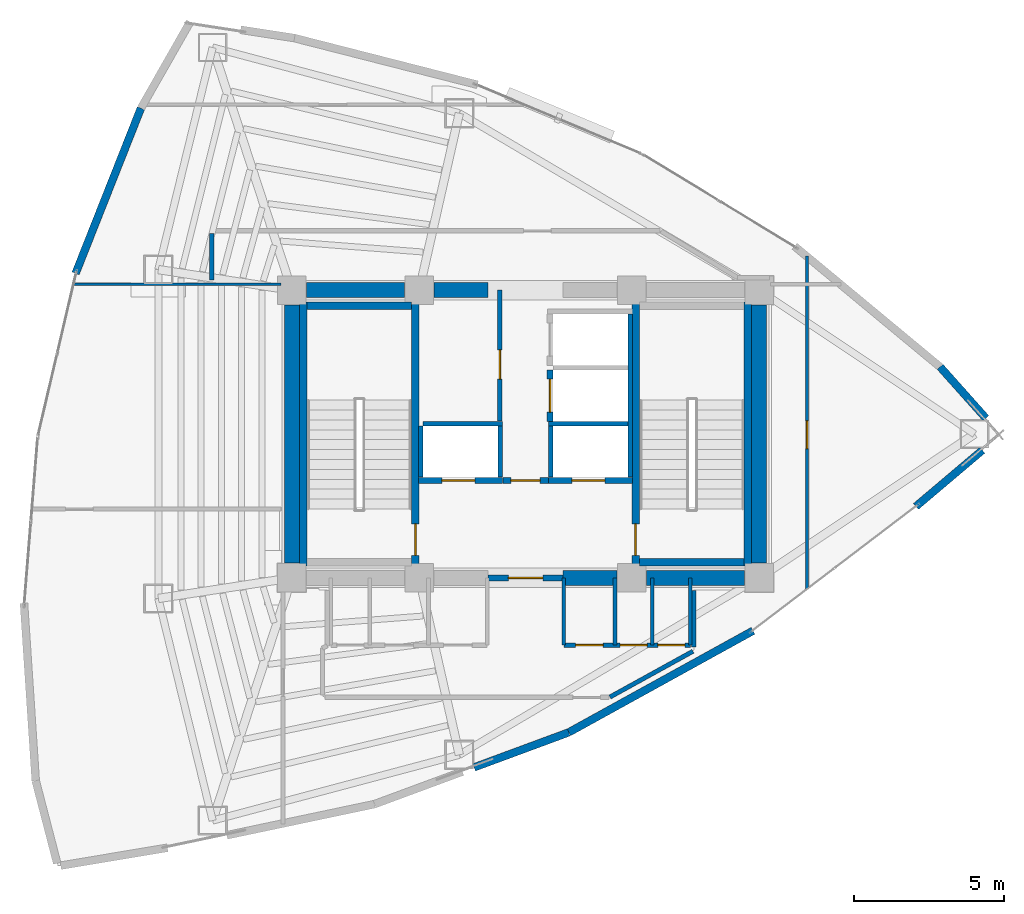
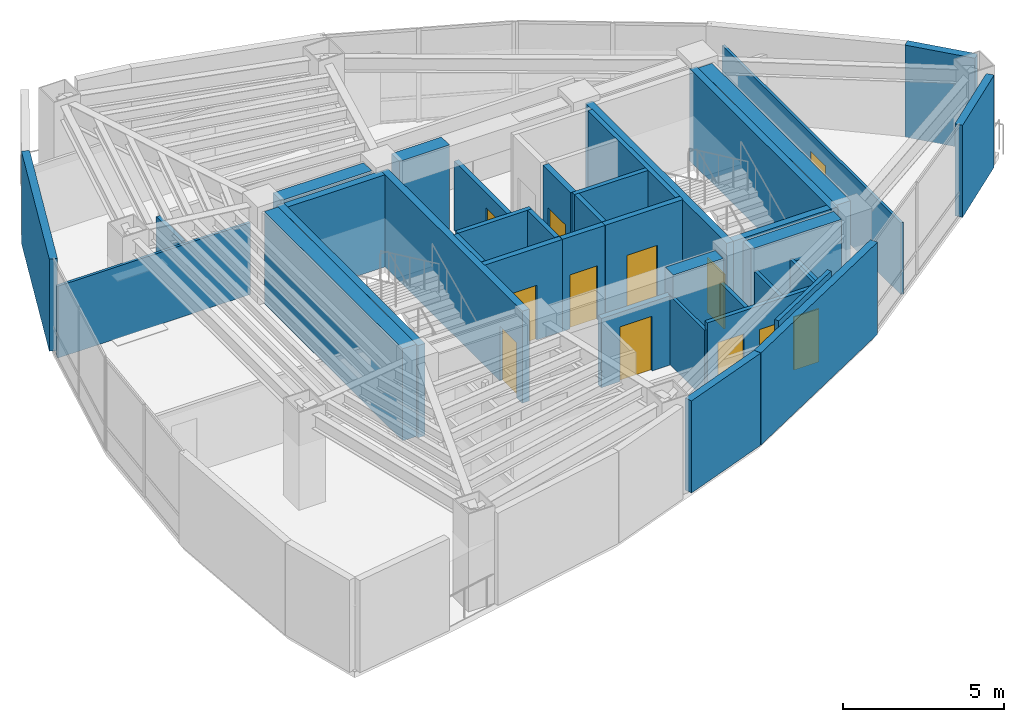
# One storey, part 12 of 15: 39 walls, 12 doors, 12 openings.
"""IFC4 building model written with IfcOpenShell, lengths in metres."""

import ifcopenshell
import ifcopenshell.guid

model = None  # the IFC model being written
_history = None  # IfcOwnerHistory: only IFC2X3 demands one
_inside = {}  # id of a spatial element -> (the spatial element, [elements in it])
_under = {}  # id of a project, library or spatial element -> (it, [spatial elements below it])
_declared = {}  # id of a project -> (the project, [libraries it declares])
_typed = {}  # id of a type object -> (the type object, [elements of that type])
_made_of = {}  # id of a material, layer set ... -> (it, [elements and type objects made of it])


def new_model(schema):
    """Start an empty IFC model of exactly this schema.

    Asked for "IFC4X3", IfcOpenShell would pick the latest addendum, in which some entities
    have other attributes; the version numbers below select the first issue.
    IFC2X3 requires an IfcOwnerHistory on every rooted entity: one is made here for all.
    """
    global model, _history
    if schema == "IFC4X3":
        model = ifcopenshell.file(schema_version=(4, 3, 0, 0))
    else:
        model = ifcopenshell.file(schema=schema)
    _inside.clear()
    _under.clear()
    _declared.clear()
    _typed.clear()
    _made_of.clear()
    _history = None
    if model.schema == "IFC2X3":
        org = make("IfcOrganization", Name="unknown")
        user = make(
            "IfcPersonAndOrganization",
            ThePerson=make("IfcPerson", FamilyName="unknown"),
            TheOrganization=org,
        )
        app = make(
            "IfcApplication",
            ApplicationDeveloper=org,
            Version="unknown",
            ApplicationFullName="unknown",
            ApplicationIdentifier="unknown",
        )
        _history = make(
            "IfcOwnerHistory",
            OwningUser=user,
            OwningApplication=app,
            ChangeAction="ADDED",
            CreationDate=0,
        )
    return model


def make(cls, **values):
    """One entity of the class cls with the attributes given. An attribute that is None is left unset."""
    return model.create_entity(
        cls, **{name: value for name, value in values.items() if value is not None}
    )


def rooted(cls, **values):
    """An entity with a GlobalId (a new one), such as an element, a storey or a relation."""
    return make(cls, GlobalId=ifcopenshell.guid.new(), OwnerHistory=_history, **values)


def si_unit(unit_type, name, prefix=None):
    """IfcSIUnit, for example si_unit("LENGTHUNIT", "METRE", prefix="MILLI")."""
    return make("IfcSIUnit", UnitType=unit_type, Prefix=prefix, Name=name)


def assignment(units):
    """IfcUnitAssignment: the units of a project."""
    return None if units is None else make("IfcUnitAssignment", Units=units)


def point(xyz):
    """IfcCartesianPoint."""
    return None if xyz is None else make("IfcCartesianPoint", Coordinates=xyz)


def direction(xyz):
    """IfcDirection."""
    return None if xyz is None else make("IfcDirection", DirectionRatios=xyz)


def frame(location, z_axis=None, x_axis=None):
    """IfcAxis2Placement3D, a coordinate frame: its origin and axes. An axis left out is left unset."""
    return make(
        "IfcAxis2Placement3D",
        Location=point(location),
        Axis=direction(z_axis),
        RefDirection=direction(x_axis),
    )


def frame_2d(location, x_axis=None):
    """IfcAxis2Placement2D, a coordinate frame in the plane: its origin and x axis."""
    return make(
        "IfcAxis2Placement2D", Location=point(location), RefDirection=direction(x_axis)
    )


def origin():
    """The frame at (0, 0, 0) with its axes left unset."""
    return frame((0.0, 0.0, 0.0))


def place(relative_to, where):
    """IfcLocalPlacement: puts the frame where relative to a parent placement (None: the world)."""
    return make(
        "IfcLocalPlacement", PlacementRelTo=relative_to, RelativePlacement=where
    )


def context(
    kind, dimensions, precision=None, world=None, true_north=None, identifier=None
):
    """IfcGeometricRepresentationContext, for example the 3D "Model" context."""
    return make(
        "IfcGeometricRepresentationContext",
        ContextIdentifier=identifier,
        ContextType=kind,
        CoordinateSpaceDimension=dimensions,
        Precision=precision,
        WorldCoordinateSystem=world,
        TrueNorth=true_north,
    )


def subcontext(parent, identifier, kind, view, scale=None):
    """IfcGeometricRepresentationSubContext, for example "Body" below "Model"."""
    return make(
        "IfcGeometricRepresentationSubContext",
        ContextIdentifier=identifier,
        ContextType=kind,
        ParentContext=parent,
        TargetScale=scale,
        TargetView=view,
    )


def project(units=None, contexts=None):
    """IfcProject with its units and contexts."""
    return rooted(
        "IfcProject",
        Name="project",
        RepresentationContexts=contexts,
        UnitsInContext=assignment(units),
    )


def spatial(cls, under=None, at=None, **own):
    """A site, building, storey or space (cls), placed at a placement, below another one or the project."""
    s = rooted(cls, ObjectPlacement=at, **own)
    if under is not None:
        _under.setdefault(under.id(), (under, []))[1].append(s)
    return s


def profile(cls, at=None, kind="AREA", **sizes):
    """A parametric profile (cls). Its sizes go by their IFC names, for example OverallWidth=200.0."""
    return make(cls, ProfileType=kind, Position=at, **sizes)


def rectangle(**sizes):
    """IfcRectangleProfileDef."""
    return profile("IfcRectangleProfileDef", **sizes)


def extrude(swept, where, along, depth):
    """IfcExtrudedAreaSolid: the profile swept, set in the frame where, extruded along a direction by depth."""
    return make(
        "IfcExtrudedAreaSolid",
        SweptArea=swept,
        Position=where,
        ExtrudedDirection=direction(along),
        Depth=depth,
    )


def shape(context_of_items, identifier, shape_type, items):
    """IfcShapeRepresentation: the items that make up one representation, for example the "Body"."""
    return make(
        "IfcShapeRepresentation",
        ContextOfItems=context_of_items,
        RepresentationIdentifier=identifier,
        RepresentationType=shape_type,
        Items=items,
    )


def material(Name=None, Category=None):
    """IfcMaterial."""
    return make("IfcMaterial", Name=Name, Category=Category)


def layer(
    of_material, thickness, ventilated=None, Name=None, Category=None, Priority=None
):
    """IfcMaterialLayer: one layer of a wall or slab, of a material (None: an air gap)."""
    return make(
        "IfcMaterialLayer",
        Material=of_material,
        LayerThickness=thickness,
        IsVentilated=ventilated,
        Name=Name,
        Category=Category,
        Priority=Priority,
    )


def layer_set(layers, Name=None):
    """IfcMaterialLayerSet."""
    return make("IfcMaterialLayerSet", MaterialLayers=layers, LayerSetName=Name)


def made_of(thing, what):
    """Note that an element or type object is made of a material, layer set ...; save() writes the relation."""
    if what is not None:
        _made_of.setdefault(what.id(), (what, []))[1].append(thing)
    return thing


def type_object(cls, material=None, **own):
    """A type object (cls), such as IfcWallType, which elements share."""
    return made_of(rooted(cls, **own), material)


def element(
    cls,
    number,
    at=None,
    inside=None,
    cuts=None,
    type_object=None,
    material=None,
    context=None,
    identifier="Body",
    shape_type=None,
    held_by="IfcProductDefinitionShape",
    body=None,
    shapes=None,
    **own,
):
    """One element of the class cls, such as IfcWall. Its Tag is "e" and its number.

    at: its placement. inside: the storey or other place that contains it. cuts: it is an
    opening in that element (IfcRelVoidsElement). A single representation is given by context,
    identifier, shape_type and body (its items); several are given by shapes. held_by: the class
    of the entity that holds the representations. save() writes the other relations.
    """
    e = rooted(cls, Tag="e%d" % number, ObjectPlacement=at, **own)
    if body is not None:
        shapes = [shape(context, identifier, shape_type, body)]
    if shapes is not None:
        e.Representation = make(held_by, Representations=shapes)
    if inside is not None:
        _inside.setdefault(inside.id(), (inside, []))[1].append(e)
    if cuts is not None:
        rooted(
            "IfcRelVoidsElement", RelatingBuildingElement=cuts, RelatedOpeningElement=e
        )
    if type_object is not None:
        _typed.setdefault(type_object.id(), (type_object, []))[1].append(e)
    return made_of(e, material)


def fill(opening, filler):
    """IfcRelFillsElement: the door or window that sits in an opening."""
    return rooted(
        "IfcRelFillsElement",
        RelatingOpeningElement=opening,
        RelatedBuildingElement=filler,
    )


def aggregate(whole, parts):
    """IfcRelAggregates: a whole, such as a stair, and the parts it consists of."""
    return rooted("IfcRelAggregates", RelatingObject=whole, RelatedObjects=parts)


def save(model, path):
    """Write the relations noted so far, then the file.

    IfcRelAggregates (storeys below a building ...), IfcRelContainedInSpatialStructure (elements
    in a storey), IfcRelDefinesByType, IfcRelAssociatesMaterial and IfcRelDeclares: one each for
    every whole, place, type object, material and project.
    """
    for whole, parts in _under.values():
        aggregate(whole, parts)
    for where, things in _inside.values():
        rooted(
            "IfcRelContainedInSpatialStructure",
            RelatedElements=things,
            RelatingStructure=where,
        )
    for kind, things in _typed.values():
        rooted("IfcRelDefinesByType", RelatedObjects=things, RelatingType=kind)
    for what, things in _made_of.values():
        rooted("IfcRelAssociatesMaterial", RelatedObjects=things, RelatingMaterial=what)
    for by, libraries in _declared.values():
        rooted("IfcRelDeclares", RelatingContext=by, RelatedDefinitions=libraries)
    model.write(path)


model = new_model("IFC4")

# Units and contexts
model_context = context("Model", 3, precision=1e-05, world=origin(), true_north=direction((0.0, 1.0)))
body_context = subcontext(model_context, "Body", "Model", "MODEL_VIEW")
ifc_project = project(units=[si_unit("LENGTHUNIT", "METRE"), si_unit("AREAUNIT", "SQUARE_METRE"), si_unit("VOLUMEUNIT", "CUBIC_METRE"), si_unit("PLANEANGLEUNIT", "RADIAN"), si_unit("MASSUNIT", "GRAM", prefix="KILO")], contexts=[model_context])

# Site, building, storey
site_placement = place(None, origin())
site = spatial("IfcSite", under=ifc_project, at=site_placement, CompositionType="ELEMENT")
building_placement = place(site_placement, origin())
building = spatial("IfcBuilding", under=site, at=building_placement, Name="Menara Vayukalpa", CompositionType="ELEMENT")
storey_placement = place(building_placement, frame((0.0, 0.0, 180.360107421875)))
storey = spatial("IfcBuildingStorey", under=building, at=storey_placement, Name="L45", CompositionType="ELEMENT", Elevation=180.360107421875)

# Walls
ifc_material_1 = material(Name="Concrete C60/75", Category="concrete")
ifc_layer_1 = layer(ifc_material_1, 0.5)
ifc_layer_set_1 = layer_set([ifc_layer_1], Name="Concrete C60/75")
wall_type_1 = type_object("IfcWallType", Name="WAL-CW500", PredefinedType="SHEAR", material=ifc_layer_set_1)
wall_1_placement = place(storey_placement, frame((26.85009765625, 17.199951171875, 0.0), z_axis=(0.0, 0.0, 1.0), x_axis=(1.0, 0.0, 0.0)))
element("IfcWall", 1, at=wall_1_placement, inside=storey, type_object=wall_type_1, Name="L45 Buttressed Core Shear Wall CWS3", PredefinedType="SHEAR", context=body_context, shape_type="SweptSolid", body=[
    extrude(rectangle(XDim=1.804931640625, YDim=0.5, at=frame_2d((0.90234375, 0.0))), origin(), (0.0, 0.0, 1.0), 3.5),
])
for number, where, z_axis, x_axis, name in (
    (2, (29.64501953125, 17.199951171875, 0.0), (0.0, 0.0, 1.0), (1.0, 0.0, 0.0), "L45 Buttressed Core Shear Wall CWS4"),
    (3, (18.294921875, 26.800048828125, 0.0), (0.0, 0.0, 1.0), (1.0, 0.0, 0.0), "L45 Buttressed Core Shear Wall CWN1"),
):
    element("IfcWall", number, at=place(storey_placement, frame(where, z_axis=z_axis, x_axis=x_axis)), inside=storey, type_object=wall_type_1, Name=name, PredefinedType="SHEAR", context=body_context, shape_type="SweptSolid", body=[
        extrude(rectangle(XDim=3.260009765625, YDim=0.5, at=frame_2d((1.6298828125, 0.0))), origin(), (0.0, 0.0, 1.0), 3.5),
    ])
wall_2_placement = place(storey_placement, frame((22.544921875, 26.800048828125, 0.0), z_axis=(0.0, 0.0, 1.0), x_axis=(1.0, 0.0, 0.0)))
element("IfcWall", 4, at=wall_2_placement, inside=storey, type_object=wall_type_1, Name="L45 Buttressed Core Shear Wall CWN2", PredefinedType="SHEAR", context=body_context, shape_type="SweptSolid", body=[
    extrude(rectangle(XDim=1.80517578125, YDim=0.5, at=frame_2d((0.902587890625, 0.0))), origin(), (0.0, 0.0, 1.0), 3.5),
])
for number, where, z_axis, x_axis, name in (
    (5, (17.800048828125, 17.695068359375, 0.0), (0.0, 0.0, 1.0), (0.0, 1.0, 0.0), "L45 Buttressed Core Shear Wall CWW1"),
    (6, (33.39990234375, 17.695068359375, 0.0), (0.0, 0.0, 1.0), (0.0, 1.0, 0.0), "L45 Buttressed Core Shear Wall CWE1"),
):
    element("IfcWall", number, at=place(storey_placement, frame(where, z_axis=z_axis, x_axis=x_axis)), inside=storey, type_object=wall_type_1, Name=name, PredefinedType="SHEAR", context=body_context, shape_type="SweptSolid", body=[
        extrude(rectangle(XDim=8.60986328125, YDim=0.5, at=frame_2d((4.304931640625, 0.0))), origin(), (0.0, 0.0, 1.0), 3.5),
    ])
ifc_material_2 = material(Name="Insulated Precast Concrete C40/50", Category="concrete")
ifc_layer_2 = layer(ifc_material_2, 0.260009765625)
ifc_layer_set_2 = layer_set([ifc_layer_2], Name="Insulated Precast Concrete C40/50")
wall_type_2 = type_object("IfcWallType", Name="WAL-EXT260", PredefinedType="PARTITIONING", material=ifc_layer_set_2)
wall_3_placement = place(storey_placement, frame((40.85009765625, 21.4580078125, 0.0), z_axis=(0.0, 0.0, 1.0), x_axis=(-0.763472391034, -0.645840466469, 0.0)))
element("IfcWall", 7, at=wall_3_placement, inside=storey, type_object=wall_type_2, Name="L45 Perimeter Terracotta Pier Wall 01", PredefinedType="PARTITIONING", context=body_context, shape_type="SweptSolid", body=[
    extrude(rectangle(XDim=2.903564453125, YDim=0.260009765625, at=frame_2d((1.45166015625, 0.0))), origin(), (0.0, 0.0, 1.0), 3.5),
])
wall_4_placement = place(storey_placement, frame((39.439208984375, 24.2421875, 0.0), z_axis=(0.0, 0.0, 1.0), x_axis=(0.665576459686, -0.746329669993, 0.0)))
element("IfcWall", 8, at=wall_4_placement, inside=storey, type_object=wall_type_2, Name="L45 Perimeter Terracotta Pier Wall 02", PredefinedType="PARTITIONING", context=body_context, shape_type="SweptSolid", body=[
    extrude(rectangle(XDim=2.297607421875, YDim=0.260009765625, at=frame_2d((1.14892578125, 0.0))), origin(), (0.0, 0.0, 1.0), 3.5),
])
wall_5_placement = place(storey_placement, frame((10.578857421875, 27.3603515625, 0.0), z_axis=(0.0, 0.0, 1.0), x_axis=(0.367819433119, 0.929897233365, 0.0)))
element("IfcWall", 9, at=wall_5_placement, inside=storey, type_object=wall_type_2, Name="L45 Perimeter Terracotta Pier Wall 09", PredefinedType="PARTITIONING", context=body_context, shape_type="SweptSolid", body=[
    extrude(rectangle(XDim=5.933349609375, YDim=0.260009765625, at=frame_2d((2.966796875, 0.0))), origin(), (0.0, 0.0, 1.0), 3.5),
])
wall_6_placement = place(storey_placement, frame((27.045166015625, 12.040283203125, 0.0), z_axis=(0.0, 0.0, 1.0), x_axis=(-0.937891061811, -0.346929900953, 0.0)))
element("IfcWall", 10, at=wall_6_placement, inside=storey, type_object=wall_type_2, Name="L45 Perimeter Terracotta Pier Wall 17", PredefinedType="PARTITIONING", context=body_context, shape_type="SweptSolid", body=[
    extrude(rectangle(XDim=3.37158203125, YDim=0.260009765625, at=frame_2d((1.685791015625, 0.0))), origin(), (0.0, 0.0, 1.0), 3.5),
])
wall_7_placement = place(storey_placement, frame((33.194580078125, 15.431640625, 0.0), z_axis=(0.0, 0.0, 1.0), x_axis=(-0.875663362897, -0.482922017389, 0.0)))
element("IfcWall", 11, at=wall_7_placement, inside=storey, type_object=wall_type_2, Name="L45 Perimeter Terracotta Pier Wall 18", PredefinedType="PARTITIONING", context=body_context, shape_type="SweptSolid", body=[
    extrude(rectangle(XDim=7.0224609375, YDim=0.260009765625, at=frame_2d((3.51123046875, 0.0))), origin(), (0.0, 0.0, 1.0), 3.5),
])
ifc_material_3 = material(Name="Lightweight Concrete Blockwork C16/20", Category="masonry")
ifc_layer_3 = layer(ifc_material_3, 0.159912109375)
ifc_layer_set_3 = layer_set([ifc_layer_3], Name="Lightweight Concrete Blockwork C16/20")
wall_type_3 = type_object("IfcWallType", Name="WAL-FR150", PredefinedType="PARTITIONING", material=ifc_layer_set_3)
for number, where, z_axis, x_axis, name in (
    (12, (22.10498046875, 20.56005859375, 0.0), (0.0, 0.0, 1.0), (0.0, 1.0, 0.0), "L45 Interior Partition IW-L45-SHW-WW"),
    (13, (24.7548828125, 20.56005859375, 0.0), (0.0, 0.0, 1.0), (0.0, 1.0, 0.0), "L45 Interior Partition IW-L45-SHW-W1E"),
):
    element("IfcWall", number, at=place(storey_placement, frame(where, z_axis=z_axis, x_axis=x_axis)), inside=storey, type_object=wall_type_3, Name=name, PredefinedType="PARTITIONING", context=body_context, shape_type="SweptSolid", body=[
        extrude(rectangle(XDim=1.7099609375, YDim=0.159912109375, at=frame_2d((0.85498046875, 0.0))), origin(), (0.0, 0.0, 1.0), 3.5),
    ])
wall_8_placement = place(storey_placement, frame((22.179931640625, 22.344970703125, 0.0), z_axis=(0.0, 0.0, 1.0), x_axis=(1.0, 0.0, 0.0)))
element("IfcWall", 14, at=wall_8_placement, inside=storey, type_object=wall_type_3, Name="L45 Interior Partition IW-L45-SHM-W12", PredefinedType="PARTITIONING", context=body_context, shape_type="SweptSolid", body=[
    extrude(rectangle(XDim=2.650146484375, YDim=0.159912109375, at=frame_2d((1.3251953125, 0.0))), origin(), (0.0, 0.0, 1.0), 3.5),
])
wall_9_placement = place(storey_placement, frame((29.094970703125, 20.56005859375, 0.0), z_axis=(0.0, 0.0, 1.0), x_axis=(0.0, 1.0, 0.0)))
element("IfcWall", 15, at=wall_9_placement, inside=storey, type_object=wall_type_3, Name="L45 Interior Partition IW-L45-SHW-EE", PredefinedType="PARTITIONING", context=body_context, shape_type="SweptSolid", body=[
    extrude(rectangle(XDim=5.449951171875, YDim=0.159912109375, at=frame_2d((2.72509765625, 0.0))), origin(), (0.0, 0.0, 1.0), 3.5),
])
wall_10_placement = place(storey_placement, frame((26.445068359375, 20.56005859375, 0.0), z_axis=(0.0, 0.0, 1.0), x_axis=(0.0, 1.0, 0.0)))
element("IfcWall", 16, at=wall_10_placement, inside=storey, type_object=wall_type_3, Name="L45 Interior Partition IW-L45-SHW-E1W", PredefinedType="PARTITIONING", context=body_context, shape_type="SweptSolid", body=[
    extrude(rectangle(XDim=1.7099609375, YDim=0.159912109375, at=frame_2d((0.85498046875, 0.0))), origin(), (0.0, 0.0, 1.0), 3.5),
])
wall_11_placement = place(storey_placement, frame((26.3701171875, 22.344970703125, 0.0), z_axis=(0.0, 0.0, 1.0), x_axis=(1.0, 0.0, 0.0)))
element("IfcWall", 17, at=wall_11_placement, inside=storey, type_object=wall_type_3, Name="L45 Interior Partition IW-L45-SHM-E13", PredefinedType="PARTITIONING", context=body_context, shape_type="SweptSolid", body=[
    extrude(rectangle(XDim=2.64990234375, YDim=0.159912109375, at=frame_2d((1.324951171875, 0.0))), origin(), (0.0, 0.0, 1.0), 3.5),
])

# Wall, opening, door
wall_12_placement = place(storey_placement, frame((24.739990234375, 22.429931640625, 0.0), z_axis=(0.0, 0.0, 1.0), x_axis=(0.0, 1.0, 0.0)))
wall_12 = element("IfcWall", 18, at=wall_12_placement, inside=storey, type_object=wall_type_3, Name="L45 Interior Partition IW-L45-LV7W", PredefinedType="PARTITIONING", context=body_context, shape_type="SweptSolid", body=[
    extrude(rectangle(XDim=4.3701171875, YDim=0.159912109375, at=frame_2d((2.18505859375, 0.0))), origin(), (0.0, 0.0, 1.0), 2.6298828125),
])
opening_1_placement = place(wall_12_placement, frame((1.39990234375, 0.0, 0.0)))
opening_1 = element("IfcOpeningElement", 19, at=opening_1_placement, cuts=wall_12, Name="Opening ID3", PredefinedType="OPENING", context=body_context, shape_type="SweptSolid", body=[
    extrude(rectangle(XDim=0.97998046875, YDim=2.06005859375, at=frame_2d((0.489990234375, 1.030029296875))), frame((0.0, 0.08984375, 0.0), z_axis=(0.0, -1.0, 0.0), x_axis=(1.0, 0.0, 0.0)), (0.0, 0.0, 1.0), 0.179931640625),
])
ifc_material_4 = material(Name="Fire-Rated Powder-Coated Steel Door", Category="steel")
door_type_1 = type_object("IfcDoorType", Name="DR-FD60", OperationType="NOTDEFINED", PredefinedType="DOOR", material=ifc_material_4)
door_1_placement = place(opening_1_placement, origin())
door_1 = element("IfcDoor", 20, at=door_1_placement, inside=storey, type_object=door_type_1, Name="L45 Interior Door DR-L45-LV7W", OperationType="SINGLE_SWING_LEFT", OverallHeight=2.06005859375, OverallWidth=0.97998046875, PredefinedType="DOOR", context=body_context, shape_type="SweptSolid", body=[
    extrude(rectangle(XDim=0.97998046875, YDim=2.06005859375, at=frame_2d((0.489990234375, 1.030029296875))), frame((0.0, 0.02490234375, 0.0), z_axis=(0.0, -1.0, 0.0), x_axis=(1.0, 0.0, 0.0)), (0.0, 0.0, 1.0), 0.050048828125),
])
fill(opening_1, door_1)

ifc_material_5 = material(Name="Lightweight Concrete Blockwork C16/20", Category="masonry")
ifc_layer_4 = layer(ifc_material_5, 0.199951171875)
ifc_layer_set_4 = layer_set([ifc_layer_4], Name="Lightweight Concrete Blockwork C16/20")
wall_type_4 = type_object("IfcWallType", Name="WAL-FR200", PredefinedType="PARTITIONING", material=ifc_layer_set_4)
wall_13_placement = place(storey_placement, frame((24.35009765625, 17.199951171875, 0.0), z_axis=(0.0, 0.0, 1.0), x_axis=(1.0, 0.0, 0.0)))
wall_13 = element("IfcWall", 21, at=wall_13_placement, inside=storey, type_object=wall_type_4, Name="L45 Interior Partition IW-L45-FFLS", PredefinedType="PARTITIONING", context=body_context, shape_type="SweptSolid", body=[
    extrude(rectangle(XDim=2.5, YDim=0.199951171875, at=frame_2d((1.25, 0.0))), origin(), (0.0, 0.0, 1.0), 2.6298828125),
])
opening_2_placement = place(wall_13_placement, frame((0.679931640625, 0.0, 0.0)))
opening_2 = element("IfcOpeningElement", 22, at=opening_2_placement, cuts=wall_13, Name="Opening ID2", PredefinedType="OPENING", context=body_context, shape_type="SweptSolid", body=[
    extrude(rectangle(XDim=1.14990234375, YDim=2.080078125, at=frame_2d((0.574951171875, 1.0400390625))), frame((0.0, 0.10986328125, 0.0), z_axis=(0.0, -1.0, 0.0), x_axis=(1.0, 0.0, 0.0)), (0.0, 0.0, 1.0), 0.219970703125),
])
ifc_material_6 = material(Name="Fire-Rated Powder-Coated Steel Door", Category="steel")
door_type_2 = type_object("IfcDoorType", Name="DR-FD60W", OperationType="NOTDEFINED", PredefinedType="DOOR", material=ifc_material_6)
door_2_placement = place(opening_2_placement, origin())
door_2 = element("IfcDoor", 23, at=door_2_placement, inside=storey, type_object=door_type_2, Name="L45 Interior Door DR-L45-FFLS", OperationType="SINGLE_SWING_LEFT", OverallHeight=2.080078125, OverallWidth=1.14990234375, PredefinedType="DOOR", context=body_context, shape_type="SweptSolid", body=[
    extrude(rectangle(XDim=1.14990234375, YDim=2.080078125, at=frame_2d((0.574951171875, 1.0400390625))), frame((0.0, 0.02490234375, 0.0), z_axis=(0.0, -1.0, 0.0), x_axis=(1.0, 0.0, 0.0)), (0.0, 0.0, 1.0), 0.050048828125),
])
fill(opening_2, door_2)

wall_14_placement = place(storey_placement, frame((24.840087890625, 20.449951171875, 0.0), z_axis=(0.0, 0.0, 1.0), x_axis=(1.0, 0.0, 0.0)))
wall_14 = element("IfcWall", 24, at=wall_14_placement, inside=storey, type_object=wall_type_4, Name="L45 Interior Partition IW-L45-FFLN", PredefinedType="PARTITIONING", context=body_context, shape_type="SweptSolid", body=[
    extrude(rectangle(XDim=1.52001953125, YDim=0.199951171875, at=frame_2d((0.760009765625, 0.0))), origin(), (0.0, 0.0, 1.0), 3.5),
])
opening_3_placement = place(wall_14_placement, frame((0.27001953125, 0.0, 0.0)))
opening_3 = element("IfcOpeningElement", 25, at=opening_3_placement, cuts=wall_14, Name="Opening ID3", PredefinedType="OPENING", context=body_context, shape_type="SweptSolid", body=[
    extrude(rectangle(XDim=0.97998046875, YDim=2.06005859375, at=frame_2d((0.489990234375, 1.030029296875))), frame((0.0, 0.10986328125, 0.0), z_axis=(0.0, -1.0, 0.0), x_axis=(1.0, 0.0, 0.0)), (0.0, 0.0, 1.0), 0.219970703125),
])
door_3_placement = place(opening_3_placement, origin())
door_3 = element("IfcDoor", 26, at=door_3_placement, inside=storey, type_object=door_type_1, Name="L45 Interior Door DR-L45-FFLN", OperationType="SINGLE_SWING_RIGHT", OverallHeight=2.06005859375, OverallWidth=0.97998046875, PredefinedType="DOOR", context=body_context, shape_type="SweptSolid", body=[
    extrude(rectangle(XDim=0.97998046875, YDim=2.06005859375, at=frame_2d((0.489990234375, 1.030029296875))), frame((0.0, 0.02490234375, 0.0), z_axis=(0.0, -1.0, 0.0), x_axis=(1.0, 0.0, 0.0)), (0.0, 0.0, 1.0), 0.050048828125),
])
fill(opening_3, door_3)

wall_15_placement = place(storey_placement, frame((22.030029296875, 20.449951171875, 0.0), z_axis=(0.0, 0.0, 1.0), x_axis=(1.0, 0.0, 0.0)))
wall_15 = element("IfcWall", 27, at=wall_15_placement, inside=storey, type_object=wall_type_4, Name="L45 Interior Partition IW-L45-SH-W1", PredefinedType="PARTITIONING", context=body_context, shape_type="SweptSolid", body=[
    extrude(rectangle(XDim=2.800048828125, YDim=0.199951171875, at=frame_2d((1.39990234375, 0.0))), origin(), (0.0, 0.0, 1.0), 3.5),
])
opening_4_placement = place(wall_15_placement, frame((0.780029296875, 0.0, 0.0)))
opening_4 = element("IfcOpeningElement", 28, at=opening_4_placement, cuts=wall_15, Name="Opening LD1", PredefinedType="OPENING", context=body_context, shape_type="SweptSolid", body=[
    extrude(rectangle(XDim=1.10009765625, YDim=2.080078125, at=frame_2d((0.550048828125, 1.0400390625))), frame((0.0, 0.10986328125, 0.0), z_axis=(0.0, -1.0, 0.0), x_axis=(1.0, 0.0, 0.0)), (0.0, 0.0, 1.0), 0.219970703125),
])
ifc_material_7 = material(Name="Brushed Stainless Steel 316 Lift Door", Category="steel")
door_type_3 = type_object("IfcDoorType", Name="DR-LD110", OperationType="NOTDEFINED", PredefinedType="DOOR", material=ifc_material_7)
door_4_placement = place(opening_4_placement, origin())
door_4 = element("IfcDoor", 29, at=door_4_placement, inside=storey, type_object=door_type_3, Name="L45 Interior Door DR-L45-LD-W1", OperationType="DOUBLE_DOOR_SLIDING", OverallHeight=2.080078125, OverallWidth=1.10009765625, PredefinedType="DOOR", context=body_context, shape_type="SweptSolid", body=[
    extrude(rectangle(XDim=1.10009765625, YDim=2.080078125, at=frame_2d((0.550048828125, 1.0400390625))), frame((0.0, 0.02490234375, 0.0), z_axis=(0.0, -1.0, 0.0), x_axis=(1.0, 0.0, 0.0)), (0.0, 0.0, 1.0), 0.050048828125),
])
fill(opening_4, door_4)

wall_16_placement = place(storey_placement, frame((26.3701171875, 20.449951171875, 0.0), z_axis=(0.0, 0.0, 1.0), x_axis=(1.0, 0.0, 0.0)))
wall_16 = element("IfcWall", 30, at=wall_16_placement, inside=storey, type_object=wall_type_4, Name="L45 Interior Partition IW-L45-SH-E1", PredefinedType="PARTITIONING", context=body_context, shape_type="SweptSolid", body=[
    extrude(rectangle(XDim=2.7998046875, YDim=0.199951171875, at=frame_2d((1.39990234375, 0.0))), origin(), (0.0, 0.0, 1.0), 3.5),
])
opening_5_placement = place(wall_16_placement, frame((0.780029296875, 0.0, 0.0)))
opening_5 = element("IfcOpeningElement", 31, at=opening_5_placement, cuts=wall_16, Name="Opening LD1", PredefinedType="OPENING", context=body_context, shape_type="SweptSolid", body=[
    extrude(rectangle(XDim=1.10009765625, YDim=2.080078125, at=frame_2d((0.550048828125, 1.0400390625))), frame((0.0, 0.10986328125, 0.0), z_axis=(0.0, -1.0, 0.0), x_axis=(1.0, 0.0, 0.0)), (0.0, 0.0, 1.0), 0.219970703125),
])
door_5_placement = place(opening_5_placement, origin())
door_5 = element("IfcDoor", 32, at=door_5_placement, inside=storey, type_object=door_type_3, Name="L45 Interior Door DR-L45-LD-E1", OperationType="DOUBLE_DOOR_SLIDING", OverallHeight=2.080078125, OverallWidth=1.10009765625, PredefinedType="DOOR", context=body_context, shape_type="SweptSolid", body=[
    extrude(rectangle(XDim=1.10009765625, YDim=2.080078125, at=frame_2d((0.550048828125, 1.0400390625))), frame((0.0, 0.02490234375, 0.0), z_axis=(0.0, -1.0, 0.0), x_axis=(1.0, 0.0, 0.0)), (0.0, 0.0, 1.0), 0.050048828125),
])
fill(opening_5, door_5)

wall_17_placement = place(storey_placement, frame((26.419921875, 22.419921875, 0.0), z_axis=(0.0, 0.0, 1.0), x_axis=(0.0, 1.0, 0.0)))
wall_17 = element("IfcWall", 33, at=wall_17_placement, inside=storey, type_object=wall_type_4, Name="L45 Interior Partition IW-L45-SH-E3", PredefinedType="PARTITIONING", context=body_context, shape_type="SweptSolid", body=[
    extrude(rectangle(XDim=1.719970703125, YDim=0.199951171875, at=frame_2d((0.85986328125, 0.0))), origin(), (0.0, 0.0, 1.0), 3.5),
])
opening_6_placement = place(wall_17_placement, frame((0.31005859375, 0.0, 0.0)))
opening_6 = element("IfcOpeningElement", 34, at=opening_6_placement, cuts=wall_17, Name="Opening LD1", PredefinedType="OPENING", context=body_context, shape_type="SweptSolid", body=[
    extrude(rectangle(XDim=1.10009765625, YDim=2.080078125, at=frame_2d((0.550048828125, 1.0400390625))), frame((0.0, 0.10986328125, 0.0), z_axis=(0.0, -1.0, 0.0), x_axis=(1.0, 0.0, 0.0)), (0.0, 0.0, 1.0), 0.219970703125),
])
door_6_placement = place(opening_6_placement, origin())
door_6 = element("IfcDoor", 35, at=door_6_placement, inside=storey, type_object=door_type_3, Name="L45 Interior Door DR-L45-LD-E3", OperationType="DOUBLE_DOOR_SLIDING", OverallHeight=2.080078125, OverallWidth=1.10009765625, PredefinedType="DOOR", context=body_context, shape_type="SweptSolid", body=[
    extrude(rectangle(XDim=1.10009765625, YDim=2.080078125, at=frame_2d((0.550048828125, 1.0400390625))), frame((0.0, 0.02490234375, 0.0), z_axis=(0.0, -1.0, 0.0), x_axis=(1.0, 0.0, 0.0)), (0.0, 0.0, 1.0), 0.050048828125),
])
fill(opening_6, door_6)

ifc_material_8 = material(Name="Glazed Demountable Office Partition", Category="glass")
ifc_layer_5 = layer(ifc_material_8, 0.094970703125)
ifc_layer_set_5 = layer_set([ifc_layer_5], Name="Glazed Demountable Office Partition")
wall_type_5 = type_object("IfcWallType", Name="WAL-PT100", PredefinedType="PARTITIONING", material=ifc_layer_set_5)
wall_18_placement = place(storey_placement, frame((35.0, 16.81298828125, 0.0), z_axis=(0.0, 0.0, 1.0), x_axis=(0.0, 1.0, 0.0)))
wall_18 = element("IfcWall", 36, at=wall_18_placement, inside=storey, type_object=wall_type_5, Name="L45 Interior Partition IW-L45-RDIV02", PredefinedType="PARTITIONING", context=body_context, shape_type="SweptSolid", body=[
    extrude(rectangle(XDim=11.123291015625, YDim=0.094970703125, at=frame_2d((5.5615234375, 0.0))), origin(), (0.0, 0.0, 1.0), 2.72998046875),
])
opening_7_placement = place(wall_18_placement, frame((4.70263671875, 0.0, 0.0)))
opening_7 = element("IfcOpeningElement", 37, at=opening_7_placement, cuts=wall_18, Name="Opening ID6", PredefinedType="OPENING", context=body_context, shape_type="SweptSolid", body=[
    extrude(rectangle(XDim=0.919921875, YDim=2.050048828125, at=frame_2d((0.4599609375, 1.02490234375))), frame((0.0, 0.057373046875, 0.0), z_axis=(0.0, -1.0, 0.0), x_axis=(1.0, 0.0, 0.0)), (0.0, 0.0, 1.0), 0.114990234375),
])
ifc_material_9 = material(Name="Acoustic Hardwood Veneer Timber Door", Category="wood")
door_type_4 = type_object("IfcDoorType", Name="DR-INT92", OperationType="NOTDEFINED", PredefinedType="DOOR", material=ifc_material_9)
door_7_placement = place(opening_7_placement, origin())
door_7 = element("IfcDoor", 38, at=door_7_placement, inside=storey, type_object=door_type_4, Name="L45 Interior Door DR-L45-STE03", OperationType="SINGLE_SWING_LEFT", OverallHeight=2.050048828125, OverallWidth=0.919921875, PredefinedType="DOOR", context=body_context, shape_type="SweptSolid", body=[
    extrude(rectangle(XDim=0.919921875, YDim=2.050048828125, at=frame_2d((0.4599609375, 1.02490234375))), frame((0.0, 0.02490234375, 0.0), z_axis=(0.0, -1.0, 0.0), x_axis=(1.0, 0.0, 0.0)), (0.0, 0.0, 1.0), 0.050048828125),
])
fill(opening_7, door_7)

# Walls
wall_19_placement = place(storey_placement, frame((10.500732421875, 27.0, 0.0), z_axis=(0.0, 0.0, 1.0), x_axis=(1.0, 0.0, 0.0)))
element("IfcWall", 39, at=wall_19_placement, inside=storey, type_object=wall_type_5, Name="L45 Interior Partition IW-L45-RDIV04", PredefinedType="PARTITIONING", context=body_context, shape_type="SweptSolid", body=[
    extrude(rectangle(XDim=6.92919921875, YDim=0.094970703125, at=frame_2d((3.464599609375, 0.0))), origin(), (0.0, 0.0, 1.0), 2.72998046875),
])
ifc_material_10 = material(Name="Acoustic Mineral Stud Partition", Category="masonry")
ifc_layer_6 = layer(ifc_material_10, 0.110107421875)
ifc_layer_set_6 = layer_set([ifc_layer_6], Name="Acoustic Mineral Stud Partition")
wall_type_6 = type_object("IfcWallType", Name="WAL-PT110", PredefinedType="PARTITIONING", material=ifc_layer_set_6)
for number, where, z_axis, x_axis, name in (
    (40, (26.8798828125, 14.949951171875, 0.0), (0.0, 0.0, 1.0), (0.0, 1.0, 0.0), "L45 Interior Partition IW-L45-SVCD-05"),
    (41, (31.10009765625, 14.949951171875, 0.0), (0.0, 0.0, 1.0), (0.0, 1.0, 0.0), "L45 Interior Partition IW-L45-SVCD-08"),
):
    element("IfcWall", number, at=place(storey_placement, frame(where, z_axis=z_axis, x_axis=x_axis)), inside=storey, type_object=wall_type_6, Name=name, PredefinedType="PARTITIONING", context=body_context, shape_type="SweptSolid", body=[
        extrude(rectangle(XDim=2.25, YDim=0.110107421875, at=frame_2d((1.125, 0.0))), origin(), (0.0, 0.0, 1.0), 2.6298828125),
    ])
ifc_material_11 = material(Name="Gypsum Drywall Steel Stud Assembly", Category="steel")
ifc_layer_7 = layer(ifc_material_11, 0.125)
ifc_layer_set_7 = layer_set([ifc_layer_7], Name="Gypsum Drywall Steel Stud Assembly")
wall_type_7 = type_object("IfcWallType", Name="WAL-PT125", PredefinedType="PARTITIONING", material=ifc_layer_set_7)
for number, where, z_axis, x_axis, name in (
    (42, (28.590087890625, 14.949951171875, 0.0), (0.0, 0.0, 1.0), (0.0, 1.0, 0.0), "L45 Interior Partition IW-L45-SVCD-06"),
    (43, (29.830078125, 14.949951171875, 0.0), (0.0, 0.0, 1.0), (0.0, 1.0, 0.0), "L45 Interior Partition IW-L45-SVCD-07"),
):
    element("IfcWall", number, at=place(storey_placement, frame(where, z_axis=z_axis, x_axis=x_axis)), inside=storey, type_object=wall_type_7, Name=name, PredefinedType="PARTITIONING", context=body_context, shape_type="SweptSolid", body=[
        extrude(rectangle(XDim=2.25, YDim=0.125, at=frame_2d((1.125, 0.0))), origin(), (0.0, 0.0, 1.0), 2.6298828125),
    ])

# Wall, openings, doors
ifc_material_12 = material(Name="Gypsum Drywall Acoustic Stud Assembly", Category="masonry")
ifc_layer_8 = layer(ifc_material_12, 0.14501953125)
ifc_layer_set_8 = layer_set([ifc_layer_8], Name="Gypsum Drywall Acoustic Stud Assembly")
wall_type_8 = type_object("IfcWallType", Name="WAL-PT150", PredefinedType="PARTITIONING", material=ifc_layer_set_8)
wall_20_placement = place(storey_placement, frame((26.8798828125, 14.949951171875, 0.0), z_axis=(0.0, 0.0, 1.0), x_axis=(1.0, 0.0, 0.0)))
wall_20 = element("IfcWall", 44, at=wall_20_placement, inside=storey, type_object=wall_type_8, Name="L45 Interior Partition IW-L45-SVCS-E", PredefinedType="PARTITIONING", context=body_context, shape_type="SweptSolid", body=[
    extrude(rectangle(XDim=4.22021484375, YDim=0.14501953125, at=frame_2d((2.110107421875, 0.0))), origin(), (0.0, 0.0, 1.0), 2.929931640625),
])
opening_8_placement = place(wall_20_placement, frame((0.389892578125, 0.0, 0.0)))
opening_8 = element("IfcOpeningElement", 45, at=opening_8_placement, cuts=wall_20, Name="Opening ID6", PredefinedType="OPENING", context=body_context, shape_type="SweptSolid", body=[
    extrude(rectangle(XDim=0.919921875, YDim=2.050048828125, at=frame_2d((0.4599609375, 1.02490234375))), frame((0.0, 0.08251953125, 0.0), z_axis=(0.0, -1.0, 0.0), x_axis=(1.0, 0.0, 0.0)), (0.0, 0.0, 1.0), 0.1650390625),
])
opening_9_placement = place(wall_20_placement, frame((1.8798828125, 0.0, 0.0)))
opening_9 = element("IfcOpeningElement", 46, at=opening_9_placement, cuts=wall_20, Name="Opening ID7", PredefinedType="OPENING", context=body_context, shape_type="SweptSolid", body=[
    extrude(rectangle(XDim=0.89990234375, YDim=2.02001953125, at=frame_2d((0.449951171875, 1.010009765625))), frame((0.0, 0.08251953125, 0.0), z_axis=(0.0, -1.0, 0.0), x_axis=(1.0, 0.0, 0.0)), (0.0, 0.0, 1.0), 0.1650390625),
])
opening_10_placement = place(wall_20_placement, frame((3.139892578125, 0.0, 0.0)))
opening_10 = element("IfcOpeningElement", 47, at=opening_10_placement, cuts=wall_20, Name="Opening ID7", PredefinedType="OPENING", context=body_context, shape_type="SweptSolid", body=[
    extrude(rectangle(XDim=0.89990234375, YDim=2.02001953125, at=frame_2d((0.449951171875, 1.010009765625))), frame((0.0, 0.08251953125, 0.0), z_axis=(0.0, -1.0, 0.0), x_axis=(1.0, 0.0, 0.0)), (0.0, 0.0, 1.0), 0.1650390625),
])
door_8_placement = place(opening_8_placement, origin())
door_8 = element("IfcDoor", 48, at=door_8_placement, inside=storey, type_object=door_type_4, Name="L45 Interior Door DR-L45-KSV1", OperationType="SINGLE_SWING_LEFT", OverallHeight=2.050048828125, OverallWidth=0.919921875, PredefinedType="DOOR", context=body_context, shape_type="SweptSolid", body=[
    extrude(rectangle(XDim=0.919921875, YDim=2.050048828125, at=frame_2d((0.4599609375, 1.02490234375))), frame((0.0, 0.02490234375, 0.0), z_axis=(0.0, -1.0, 0.0), x_axis=(1.0, 0.0, 0.0)), (0.0, 0.0, 1.0), 0.050048828125),
])
fill(opening_8, door_8)
ifc_material_13 = material(Name="Powder-Coated Steel Riser Access Door", Category="steel")
door_type_5 = type_object("IfcDoorType", Name="DR-RISER", OperationType="NOTDEFINED", PredefinedType="DOOR", material=ifc_material_13)
door_9_placement = place(opening_9_placement, origin())
door_9 = element("IfcDoor", 49, at=door_9_placement, inside=storey, type_object=door_type_5, Name="L45 Interior Door DR-L45-KSV2", OperationType="SINGLE_SWING_RIGHT", OverallHeight=2.02001953125, OverallWidth=0.89990234375, PredefinedType="DOOR", context=body_context, shape_type="SweptSolid", body=[
    extrude(rectangle(XDim=0.89990234375, YDim=2.02001953125, at=frame_2d((0.449951171875, 1.010009765625))), frame((0.0, 0.02490234375, 0.0), z_axis=(0.0, -1.0, 0.0), x_axis=(1.0, 0.0, 0.0)), (0.0, 0.0, 1.0), 0.050048828125),
])
fill(opening_9, door_9)
door_10_placement = place(opening_10_placement, origin())
door_10 = element("IfcDoor", 50, at=door_10_placement, inside=storey, type_object=door_type_5, Name="L45 Interior Door DR-L45-SMD", OperationType="SINGLE_SWING_LEFT", OverallHeight=2.02001953125, OverallWidth=0.89990234375, PredefinedType="DOOR", context=body_context, shape_type="SweptSolid", body=[
    extrude(rectangle(XDim=0.89990234375, YDim=2.02001953125, at=frame_2d((0.449951171875, 1.010009765625))), frame((0.0, 0.02490234375, 0.0), z_axis=(0.0, -1.0, 0.0), x_axis=(1.0, 0.0, 0.0)), (0.0, 0.0, 1.0), 0.050048828125),
])
fill(opening_10, door_10)

# Walls
wall_21_placement = place(storey_placement, frame((28.41796875, 13.219970703125, 0.0), z_axis=(0.0, 0.0, 1.0), x_axis=(0.875692450227, 0.48286927073, 0.0)))
element("IfcWall", 51, at=wall_21_placement, inside=storey, type_object=wall_type_8, Name="L45 Interior Partition IW-L45-CRM02-4", PredefinedType="PARTITIONING", context=body_context, shape_type="SweptSolid", body=[
    extrude(rectangle(XDim=3.1640625, YDim=0.14501953125, at=frame_2d((1.58203125, 0.0))), origin(), (0.0, 0.0, 1.0), 3.5),
])
wall_22_placement = place(storey_placement, frame((31.219970703125, 14.888671875, 0.0), z_axis=(0.0, 0.0, 1.0), x_axis=(0.0, 1.0, 0.0)))
element("IfcWall", 52, at=wall_22_placement, inside=storey, type_object=wall_type_8, Name="L45 Interior Partition IW-L45-CRM02-5", PredefinedType="PARTITIONING", context=body_context, shape_type="SweptSolid", body=[
    extrude(rectangle(XDim=1.891357421875, YDim=0.14501953125, at=frame_2d((0.94580078125, 0.0))), origin(), (0.0, 0.0, 1.0), 2.6298828125),
])
wall_23_placement = place(storey_placement, frame((15.1201171875, 28.699951171875, 0.0), z_axis=(0.0, 0.0, 1.0), x_axis=(0.0, -1.0, 0.0)))
element("IfcWall", 53, at=wall_23_placement, inside=storey, type_object=wall_type_8, Name="L45 Interior Partition IW-L45-CRM04-4", PredefinedType="PARTITIONING", context=body_context, shape_type="SweptSolid", body=[
    extrude(rectangle(XDim=1.56005859375, YDim=0.14501953125, at=frame_2d((0.780029296875, 0.0))), origin(), (0.0, 0.0, 1.0), 2.72998046875),
])
ifc_material_14 = material(Name="Concrete C50/60", Category="concrete")
ifc_layer_9 = layer(ifc_material_14, 0.25)
ifc_layer_set_9 = layer_set([ifc_layer_9], Name="Concrete C50/60")
wall_type_9 = type_object("IfcWallType", Name="WAL-SW250", PredefinedType="SHEAR", material=ifc_layer_set_9)
wall_24_placement = place(storey_placement, frame((18.178955078125, 17.60009765625, 0.0), z_axis=(0.0, 0.0, 1.0), x_axis=(0.0, 1.0, 0.0)))
element("IfcWall", 54, at=wall_24_placement, inside=storey, type_object=wall_type_9, Name="L45 ST1 Structural Stair Shaft Wall W", PredefinedType="SHEAR", context=body_context, shape_type="SweptSolid", body=[
    extrude(rectangle(XDim=8.7998046875, YDim=0.25, at=frame_2d((4.39990234375, 0.0))), origin(), (0.0, 0.0, 1.0), 3.5),
])

# Wall, opening, door
wall_25_placement = place(storey_placement, frame((21.925048828125, 17.60009765625, 0.0), z_axis=(0.0, 0.0, 1.0), x_axis=(0.0, 1.0, 0.0)))
wall_25 = element("IfcWall", 55, at=wall_25_placement, inside=storey, type_object=wall_type_9, Name="L45 ST1 Structural Stair Shaft Wall E", PredefinedType="SHEAR", context=body_context, shape_type="SweptSolid", body=[
    extrude(rectangle(XDim=8.7998046875, YDim=0.25, at=frame_2d((4.39990234375, 0.0))), origin(), (0.0, 0.0, 1.0), 3.5),
])
opening_11_placement = place(wall_25_placement, frame((0.35009765625, 0.0, 0.0)))
opening_11 = element("IfcOpeningElement", 56, at=opening_11_placement, cuts=wall_25, Name="Opening ID1", PredefinedType="OPENING", context=body_context, shape_type="SweptSolid", body=[
    extrude(rectangle(XDim=1.050048828125, YDim=2.080078125, at=frame_2d((0.52490234375, 1.0400390625))), frame((0.0, 0.135009765625, 0.0), z_axis=(0.0, -1.0, 0.0), x_axis=(1.0, 0.0, 0.0)), (0.0, 0.0, 1.0), 0.27001953125),
])
ifc_material_15 = material(Name="Fire-Rated Powder-Coated Steel Door", Category="steel")
door_type_6 = type_object("IfcDoorType", Name="DR-FD120", OperationType="NOTDEFINED", PredefinedType="DOOR", material=ifc_material_15)
door_11_placement = place(opening_11_placement, origin())
door_11 = element("IfcDoor", 57, at=door_11_placement, inside=storey, type_object=door_type_6, Name="L45 Stair Exit Door DR-L45-ST1", OperationType="SINGLE_SWING_LEFT", OverallHeight=2.080078125, OverallWidth=1.050048828125, PredefinedType="DOOR", context=body_context, shape_type="SweptSolid", body=[
    extrude(rectangle(XDim=1.050048828125, YDim=2.080078125, at=frame_2d((0.52490234375, 1.0400390625))), frame((0.0, 0.02490234375, 0.0), z_axis=(0.0, -1.0, 0.0), x_axis=(1.0, 0.0, 0.0)), (0.0, 0.0, 1.0), 0.050048828125),
])
fill(opening_11, door_11)

# Wall
wall_26_placement = place(storey_placement, frame((18.303955078125, 26.27490234375, 0.0), z_axis=(0.0, 0.0, 1.0), x_axis=(1.0, 0.0, 0.0)))
element("IfcWall", 58, at=wall_26_placement, inside=storey, type_object=wall_type_9, Name="L45 ST1 Structural Stair Shaft Wall N", PredefinedType="SHEAR", context=body_context, shape_type="SweptSolid", body=[
    extrude(rectangle(XDim=3.49609375, YDim=0.25, at=frame_2d((1.748046875, 0.0))), origin(), (0.0, 0.0, 1.0), 3.5),
])

# Wall, opening, door
wall_27_placement = place(storey_placement, frame((29.27490234375, 17.60009765625, 0.0), z_axis=(0.0, 0.0, 1.0), x_axis=(0.0, 1.0, 0.0)))
wall_27 = element("IfcWall", 59, at=wall_27_placement, inside=storey, type_object=wall_type_9, Name="L45 ST2 Structural Stair Shaft Wall W", PredefinedType="SHEAR", context=body_context, shape_type="SweptSolid", body=[
    extrude(rectangle(XDim=8.7998046875, YDim=0.25, at=frame_2d((4.39990234375, 0.0))), origin(), (0.0, 0.0, 1.0), 3.5),
])
opening_12_placement = place(wall_27_placement, frame((0.35009765625, 0.0, 0.0)))
opening_12 = element("IfcOpeningElement", 60, at=opening_12_placement, cuts=wall_27, Name="Opening ID1", PredefinedType="OPENING", context=body_context, shape_type="SweptSolid", body=[
    extrude(rectangle(XDim=1.050048828125, YDim=2.080078125, at=frame_2d((0.52490234375, 1.0400390625))), frame((0.0, 0.135009765625, 0.0), z_axis=(0.0, -1.0, 0.0), x_axis=(1.0, 0.0, 0.0)), (0.0, 0.0, 1.0), 0.27001953125),
])
door_12_placement = place(opening_12_placement, origin())
door_12 = element("IfcDoor", 61, at=door_12_placement, inside=storey, type_object=door_type_6, Name="L45 Stair Exit Door DR-L45-ST2", OperationType="SINGLE_SWING_RIGHT", OverallHeight=2.080078125, OverallWidth=1.050048828125, PredefinedType="DOOR", context=body_context, shape_type="SweptSolid", body=[
    extrude(rectangle(XDim=1.050048828125, YDim=2.080078125, at=frame_2d((0.52490234375, 1.0400390625))), frame((0.0, 0.02490234375, 0.0), z_axis=(0.0, -1.0, 0.0), x_axis=(1.0, 0.0, 0.0)), (0.0, 0.0, 1.0), 0.050048828125),
])
fill(opening_12, door_12)

# Walls
wall_28_placement = place(storey_placement, frame((33.02099609375, 17.60009765625, 0.0), z_axis=(0.0, 0.0, 1.0), x_axis=(0.0, 1.0, 0.0)))
element("IfcWall", 62, at=wall_28_placement, inside=storey, type_object=wall_type_9, Name="L45 ST2 Structural Stair Shaft Wall E", PredefinedType="SHEAR", context=body_context, shape_type="SweptSolid", body=[
    extrude(rectangle(XDim=8.7998046875, YDim=0.25, at=frame_2d((4.39990234375, 0.0))), origin(), (0.0, 0.0, 1.0), 3.5),
])
wall_29_placement = place(storey_placement, frame((29.39990234375, 17.72509765625, 0.0), z_axis=(0.0, 0.0, 1.0), x_axis=(1.0, 0.0, 0.0)))
element("IfcWall", 63, at=wall_29_placement, inside=storey, type_object=wall_type_9, Name="L45 ST2 Structural Stair Shaft Wall S", PredefinedType="SHEAR", context=body_context, shape_type="SweptSolid", body=[
    extrude(rectangle(XDim=3.49609375, YDim=0.25, at=frame_2d((1.748046875, 0.0))), origin(), (0.0, 0.0, 1.0), 3.5),
])

save(model, "model.ifc")
